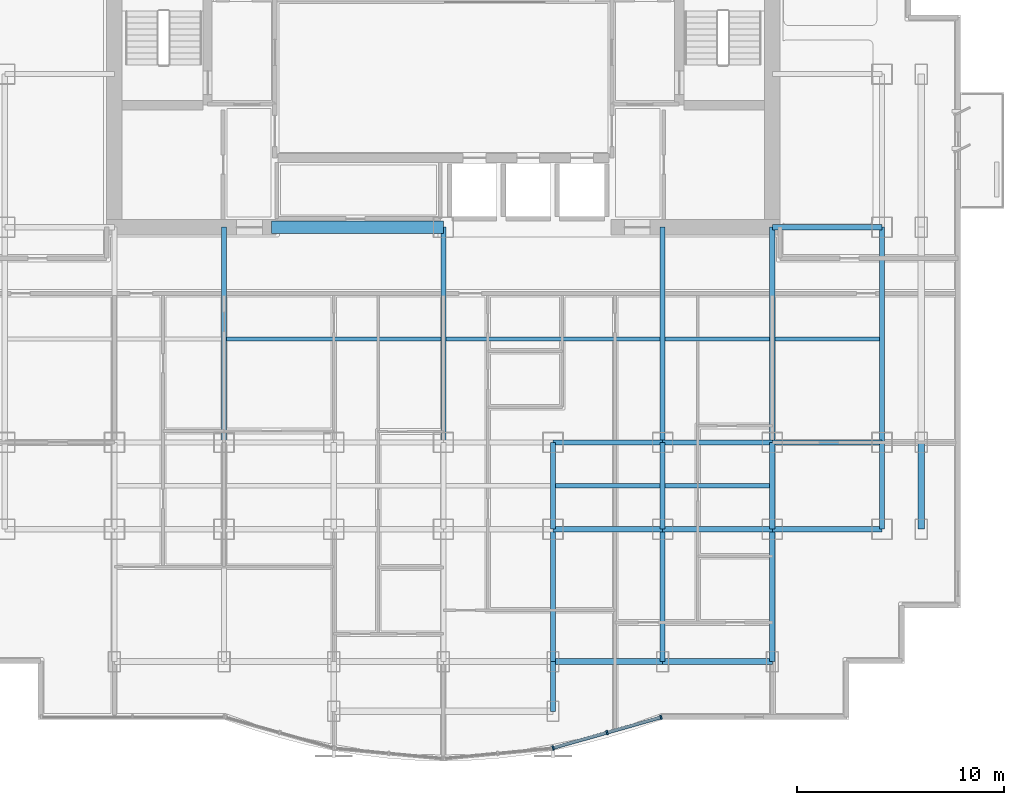
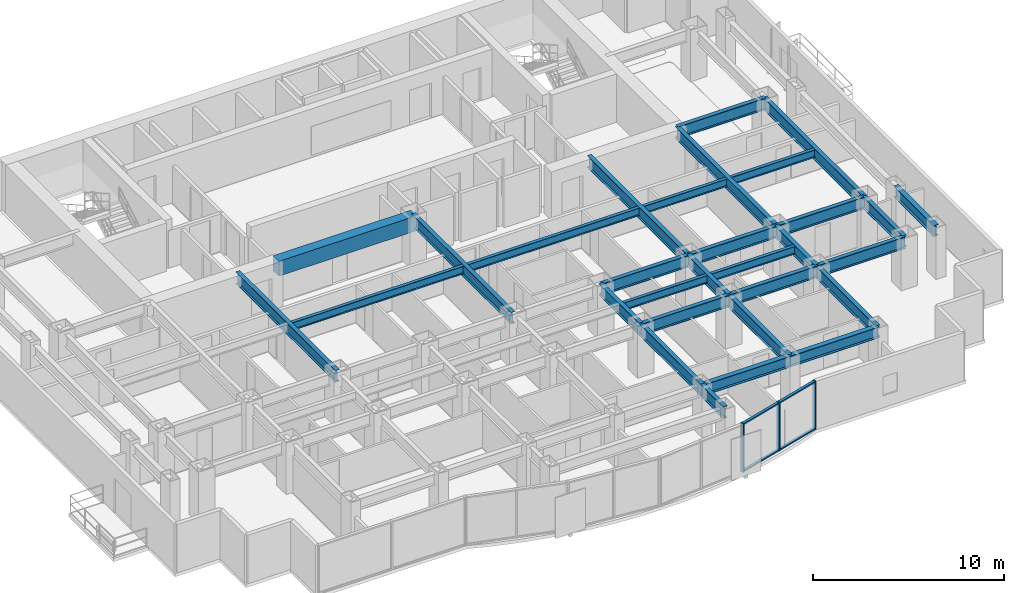
# One storey, part 3 of 10: 30 beams, 7 members, 1 element without a shape of its own.
"""IFC4 building model written with IfcOpenShell, lengths in metres."""

from ifc_helpers import new_model, si_unit, direction, frame, origin, origin_2d, place, context, subcontext, project, spatial, rectangle, i_section, extrude, source, transform, mapped, material, layer, layer_set, material_profile, profile_set, type_object, element, aggregate, save


model = new_model("IFC4")

# Units and contexts
model_context = context("Model", 3, precision=1e-05, world=origin(), true_north=direction((0.0, 1.0)))
body_context = subcontext(model_context, "Body", "Model", "MODEL_VIEW")
ifc_project = project(units=[si_unit("LENGTHUNIT", "METRE"), si_unit("AREAUNIT", "SQUARE_METRE"), si_unit("VOLUMEUNIT", "CUBIC_METRE"), si_unit("PLANEANGLEUNIT", "RADIAN"), si_unit("MASSUNIT", "GRAM", prefix="KILO")], contexts=[model_context])

# Site, building, storey
site_placement = place(None, origin())
site = spatial("IfcSite", under=ifc_project, at=site_placement, CompositionType="ELEMENT")
building_placement = place(site_placement, origin())
building = spatial("IfcBuilding", under=site, at=building_placement, Name="Qianlan Lanfeng Residences", CompositionType="ELEMENT")
storey_placement = place(building_placement, frame((0.0, 0.0, 98.199951171875)))
storey = spatial("IfcBuildingStorey", under=building, at=storey_placement, Name="L26", CompositionType="ELEMENT", Elevation=98.199951171875)

# Beams
ifc_material_1 = material(Name="Steel SN490B", Category="steel")
ifc_material_profile_1 = material_profile(ifc_material_1, i_section(OverallWidth=0.25, OverallDepth=0.75, WebThickness=0.013916015625, FlangeThickness=0.02490234375, at=origin_2d()), Name="H 750x250x14x25")
ifc_profile_set_1 = profile_set([ifc_material_profile_1], Name="Steel SN490B")
beam_type_1 = type_object("IfcBeamType", Name="G-850", PredefinedType="BEAM", material=ifc_profile_set_1)
beam_1_placement = place(storey_placement, frame((31.800048828125, 10.60009765625, 2.715087890625), z_axis=(1.0, 0.0, 0.0), x_axis=(0.0, 1.0, 0.0)))
element("IfcBeam", 1, at=beam_1_placement, inside=storey, type_object=beam_type_1, Name="Structural beam G-850", PredefinedType="BEAM", context=body_context, shape_type="SweptSolid", body=[
    extrude(i_section(OverallWidth=0.25, OverallDepth=0.75, WebThickness=0.013916015625, FlangeThickness=0.02490234375, at=origin_2d()), origin(), (0.0, 0.0, 1.0), 5.300048828125),
])
beam_2_placement = place(storey_placement, frame((37.10009765625, 10.60009765625, 2.715087890625), z_axis=(1.0, 0.0, 0.0), x_axis=(0.0, 1.0, 0.0)))
element("IfcBeam", 2, at=beam_2_placement, inside=storey, type_object=beam_type_1, Name="Structural beam G-850", PredefinedType="BEAM", context=body_context, shape_type="SweptSolid", body=[
    extrude(i_section(OverallWidth=0.25, OverallDepth=0.75, WebThickness=0.013916015625, FlangeThickness=0.02490234375, at=origin_2d()), origin(), (0.0, 0.0, 1.0), 5.2998046875),
])
for number, where, z_axis, x_axis, name in (
    (3, (42.39990234375, 10.60009765625, 2.715087890625), (1.0, 0.0, 0.0), (0.0, 1.0, 0.0), "Structural beam G-850"),
    (4, (31.800048828125, 14.800048828125, 2.715087890625), (1.0, 0.0, 0.0), (0.0, 1.0, 0.0), "Structural beam G-850"),
):
    element("IfcBeam", number, at=place(storey_placement, frame(where, z_axis=z_axis, x_axis=x_axis)), inside=storey, type_object=beam_type_1, Name=name, PredefinedType="BEAM", context=body_context, shape_type="SweptSolid", body=[
        extrude(i_section(OverallWidth=0.25, OverallDepth=0.75, WebThickness=0.013916015625, FlangeThickness=0.02490234375, at=origin_2d()), origin(), (0.0, 0.0, 1.0), 5.300048828125),
    ])
beam_3_placement = place(storey_placement, frame((37.10009765625, 14.800048828125, 2.715087890625), z_axis=(1.0, 0.0, 0.0), x_axis=(0.0, 1.0, 0.0)))
element("IfcBeam", 5, at=beam_3_placement, inside=storey, type_object=beam_type_1, Name="Structural beam G-850", PredefinedType="BEAM", context=body_context, shape_type="SweptSolid", body=[
    extrude(i_section(OverallWidth=0.25, OverallDepth=0.75, WebThickness=0.013916015625, FlangeThickness=0.02490234375, at=origin_2d()), origin(), (0.0, 0.0, 1.0), 5.2998046875),
])
for number, where, z_axis, x_axis, name in (
    (6, (42.39990234375, 14.800048828125, 2.715087890625), (1.0, 0.0, 0.0), (0.0, 1.0, 0.0), "Structural beam G-850"),
    (7, (42.39990234375, 25.199951171875, 2.715087890625), (1.0, 0.0, 0.0), (0.0, 1.0, 0.0), "Structural beam G-850"),
):
    element("IfcBeam", number, at=place(storey_placement, frame(where, z_axis=z_axis, x_axis=x_axis)), inside=storey, type_object=beam_type_1, Name=name, PredefinedType="BEAM", context=body_context, shape_type="SweptSolid", body=[
        extrude(i_section(OverallWidth=0.25, OverallDepth=0.75, WebThickness=0.013916015625, FlangeThickness=0.02490234375, at=origin_2d()), origin(), (0.0, 0.0, 1.0), 5.300048828125),
    ])
for number, where, z_axis, x_axis, name in (
    (8, (15.89990234375, 14.800048828125, 2.715087890625), (0.0, 1.0, 0.0), (-1.0, 0.0, 0.0), "Structural beam G-850"),
    (9, (26.5, 14.800048828125, 2.715087890625), (0.0, 1.0, 0.0), (-1.0, 0.0, 0.0), "Structural beam G-850"),
):
    element("IfcBeam", number, at=place(storey_placement, frame(where, z_axis=z_axis, x_axis=x_axis)), inside=storey, type_object=beam_type_1, Name=name, PredefinedType="BEAM", context=body_context, shape_type="SweptSolid", body=[
        extrude(i_section(OverallWidth=0.25, OverallDepth=0.75, WebThickness=0.013916015625, FlangeThickness=0.02490234375, at=origin_2d()), origin(), (0.0, 0.0, 1.0), 10.39990234375),
    ])
beam_4_placement = place(storey_placement, frame((31.800048828125, 1.800048828125, 2.715087890625), z_axis=(0.0, 1.0, 0.0), x_axis=(-1.0, 0.0, 0.0)))
element("IfcBeam", 10, at=beam_4_placement, inside=storey, type_object=beam_type_1, Name="Structural beam G-850", PredefinedType="BEAM", context=body_context, shape_type="SweptSolid", body=[
    extrude(i_section(OverallWidth=0.25, OverallDepth=0.75, WebThickness=0.013916015625, FlangeThickness=0.02490234375, at=origin_2d()), origin(), (0.0, 0.0, 1.0), 2.39990234375),
])
beam_5_placement = place(storey_placement, frame((31.800048828125, 4.199951171875, 2.715087890625), z_axis=(0.0, 1.0, 0.0), x_axis=(-1.0, 0.0, 0.0)))
element("IfcBeam", 11, at=beam_5_placement, inside=storey, type_object=beam_type_1, Name="Structural beam G-850", PredefinedType="BEAM", context=body_context, shape_type="SweptSolid", body=[
    extrude(i_section(OverallWidth=0.25, OverallDepth=0.75, WebThickness=0.013916015625, FlangeThickness=0.02490234375, at=origin_2d()), origin(), (0.0, 0.0, 1.0), 6.400146484375),
])
beam_6_placement = place(storey_placement, frame((31.800048828125, 10.60009765625, 2.715087890625), z_axis=(0.0, 1.0, 0.0), x_axis=(-1.0, 0.0, 0.0)))
element("IfcBeam", 12, at=beam_6_placement, inside=storey, type_object=beam_type_1, Name="Structural beam G-850", PredefinedType="BEAM", context=body_context, shape_type="SweptSolid", body=[
    extrude(i_section(OverallWidth=0.25, OverallDepth=0.75, WebThickness=0.013916015625, FlangeThickness=0.02490234375, at=origin_2d()), origin(), (0.0, 0.0, 1.0), 4.199951171875),
])
beam_7_placement = place(storey_placement, frame((37.10009765625, 4.199951171875, 2.715087890625), z_axis=(0.0, 1.0, 0.0), x_axis=(-1.0, 0.0, 0.0)))
element("IfcBeam", 13, at=beam_7_placement, inside=storey, type_object=beam_type_1, Name="Structural beam G-850", PredefinedType="BEAM", context=body_context, shape_type="SweptSolid", body=[
    extrude(i_section(OverallWidth=0.25, OverallDepth=0.75, WebThickness=0.013916015625, FlangeThickness=0.02490234375, at=origin_2d()), origin(), (0.0, 0.0, 1.0), 6.400146484375),
])
beam_8_placement = place(storey_placement, frame((37.10009765625, 10.60009765625, 2.715087890625), z_axis=(0.0, 1.0, 0.0), x_axis=(-1.0, 0.0, 0.0)))
element("IfcBeam", 14, at=beam_8_placement, inside=storey, type_object=beam_type_1, Name="Structural beam G-850", PredefinedType="BEAM", context=body_context, shape_type="SweptSolid", body=[
    extrude(i_section(OverallWidth=0.25, OverallDepth=0.75, WebThickness=0.013916015625, FlangeThickness=0.02490234375, at=origin_2d()), origin(), (0.0, 0.0, 1.0), 4.199951171875),
])
beam_9_placement = place(storey_placement, frame((37.10009765625, 14.800048828125, 2.715087890625), z_axis=(0.0, 1.0, 0.0), x_axis=(-1.0, 0.0, 0.0)))
element("IfcBeam", 15, at=beam_9_placement, inside=storey, type_object=beam_type_1, Name="Structural beam G-850", PredefinedType="BEAM", context=body_context, shape_type="SweptSolid", body=[
    extrude(i_section(OverallWidth=0.25, OverallDepth=0.75, WebThickness=0.013916015625, FlangeThickness=0.02490234375, at=origin_2d()), origin(), (0.0, 0.0, 1.0), 10.39990234375),
])
beam_10_placement = place(storey_placement, frame((42.39990234375, 4.199951171875, 2.715087890625), z_axis=(0.0, 1.0, 0.0), x_axis=(-1.0, 0.0, 0.0)))
element("IfcBeam", 16, at=beam_10_placement, inside=storey, type_object=beam_type_1, Name="Structural beam G-850", PredefinedType="BEAM", context=body_context, shape_type="SweptSolid", body=[
    extrude(i_section(OverallWidth=0.25, OverallDepth=0.75, WebThickness=0.013916015625, FlangeThickness=0.02490234375, at=origin_2d()), origin(), (0.0, 0.0, 1.0), 6.400146484375),
])
beam_11_placement = place(storey_placement, frame((42.39990234375, 10.60009765625, 2.715087890625), z_axis=(0.0, 1.0, 0.0), x_axis=(-1.0, 0.0, 0.0)))
element("IfcBeam", 17, at=beam_11_placement, inside=storey, type_object=beam_type_1, Name="Structural beam G-850", PredefinedType="BEAM", context=body_context, shape_type="SweptSolid", body=[
    extrude(i_section(OverallWidth=0.25, OverallDepth=0.75, WebThickness=0.013916015625, FlangeThickness=0.02490234375, at=origin_2d()), origin(), (0.0, 0.0, 1.0), 4.199951171875),
])
beam_12_placement = place(storey_placement, frame((42.39990234375, 14.800048828125, 2.715087890625), z_axis=(0.0, 1.0, 0.0), x_axis=(-1.0, 0.0, 0.0)))
element("IfcBeam", 18, at=beam_12_placement, inside=storey, type_object=beam_type_1, Name="Structural beam G-850", PredefinedType="BEAM", context=body_context, shape_type="SweptSolid", body=[
    extrude(i_section(OverallWidth=0.25, OverallDepth=0.75, WebThickness=0.013916015625, FlangeThickness=0.02490234375, at=origin_2d()), origin(), (0.0, 0.0, 1.0), 10.39990234375),
])
beam_13_placement = place(storey_placement, frame((47.699951171875, 10.60009765625, 2.715087890625), z_axis=(0.0, 1.0, 0.0), x_axis=(-1.0, 0.0, 0.0)))
element("IfcBeam", 19, at=beam_13_placement, inside=storey, type_object=beam_type_1, Name="Structural beam G-850", PredefinedType="BEAM", context=body_context, shape_type="SweptSolid", body=[
    extrude(i_section(OverallWidth=0.25, OverallDepth=0.75, WebThickness=0.013916015625, FlangeThickness=0.02490234375, at=origin_2d()), origin(), (0.0, 0.0, 1.0), 4.199951171875),
])
beam_14_placement = place(storey_placement, frame((47.699951171875, 14.800048828125, 2.715087890625), z_axis=(0.0, 1.0, 0.0), x_axis=(-1.0, 0.0, 0.0)))
element("IfcBeam", 20, at=beam_14_placement, inside=storey, type_object=beam_type_1, Name="Structural beam G-850", PredefinedType="BEAM", context=body_context, shape_type="SweptSolid", body=[
    extrude(i_section(OverallWidth=0.25, OverallDepth=0.75, WebThickness=0.013916015625, FlangeThickness=0.02490234375, at=origin_2d()), origin(), (0.0, 0.0, 1.0), 10.39990234375),
])
ifc_material_profile_2 = material_profile(ifc_material_1, i_section(OverallWidth=0.199951171875, OverallDepth=0.5, WebThickness=0.010009765625, FlangeThickness=0.01611328125, at=origin_2d()), Name="H 500x200x10x16")
ifc_profile_set_2 = profile_set([ifc_material_profile_2], Name="Steel SN490B")
beam_type_2 = type_object("IfcBeamType", Name="J-500", PredefinedType="JOIST", material=ifc_profile_set_2)
beam_15_placement = place(storey_placement, frame((31.925048828125, 12.699951171875, 2.840087890625), z_axis=(1.0, 0.0, 0.0), x_axis=(0.0, 1.0, 0.0)))
element("IfcBeam", 21, at=beam_15_placement, inside=storey, type_object=beam_type_2, Name="Structural beam J-500", PredefinedType="JOIST", context=body_context, shape_type="SweptSolid", body=[
    extrude(i_section(OverallWidth=0.199951171875, OverallDepth=0.5, WebThickness=0.010009765625, FlangeThickness=0.01611328125, at=origin_2d()), origin(), (0.0, 0.0, 1.0), 5.050048828125),
])
beam_16_placement = place(storey_placement, frame((37.22509765625, 12.699951171875, 2.840087890625), z_axis=(1.0, 0.0, 0.0), x_axis=(0.0, 1.0, 0.0)))
element("IfcBeam", 22, at=beam_16_placement, inside=storey, type_object=beam_type_2, Name="Structural beam J-500", PredefinedType="JOIST", context=body_context, shape_type="SweptSolid", body=[
    extrude(i_section(OverallWidth=0.199951171875, OverallDepth=0.5, WebThickness=0.010009765625, FlangeThickness=0.01611328125, at=origin_2d()), origin(), (0.0, 0.0, 1.0), 5.0498046875),
])
for number, where, z_axis, x_axis, name in (
    (23, (16.02490234375, 19.800048828125, 2.840087890625), (1.0, 0.0, 0.0), (0.0, 1.0, 0.0), "Structural beam J-500"),
    (24, (26.625, 19.800048828125, 2.840087890625), (1.0, 0.0, 0.0), (0.0, 1.0, 0.0), "Structural beam J-500"),
):
    element("IfcBeam", number, at=place(storey_placement, frame(where, z_axis=z_axis, x_axis=x_axis)), inside=storey, type_object=beam_type_2, Name=name, PredefinedType="JOIST", context=body_context, shape_type="SweptSolid", body=[
        extrude(i_section(OverallWidth=0.199951171875, OverallDepth=0.5, WebThickness=0.010009765625, FlangeThickness=0.01611328125, at=origin_2d()), origin(), (0.0, 0.0, 1.0), 10.35009765625),
    ])
beam_17_placement = place(storey_placement, frame((37.22509765625, 19.800048828125, 2.840087890625), z_axis=(1.0, 0.0, 0.0), x_axis=(0.0, 1.0, 0.0)))
element("IfcBeam", 25, at=beam_17_placement, inside=storey, type_object=beam_type_2, Name="Structural beam J-500", PredefinedType="JOIST", context=body_context, shape_type="SweptSolid", body=[
    extrude(i_section(OverallWidth=0.199951171875, OverallDepth=0.5, WebThickness=0.010009765625, FlangeThickness=0.01611328125, at=origin_2d()), origin(), (0.0, 0.0, 1.0), 5.0498046875),
])
beam_18_placement = place(storey_placement, frame((42.52490234375, 19.800048828125, 2.840087890625), z_axis=(1.0, 0.0, 0.0), x_axis=(0.0, 1.0, 0.0)))
element("IfcBeam", 26, at=beam_18_placement, inside=storey, type_object=beam_type_2, Name="Structural beam J-500", PredefinedType="JOIST", context=body_context, shape_type="SweptSolid", body=[
    extrude(i_section(OverallWidth=0.199951171875, OverallDepth=0.5, WebThickness=0.010009765625, FlangeThickness=0.01611328125, at=origin_2d()), origin(), (0.0, 0.0, 1.0), 5.050048828125),
])
ifc_material_2 = material(Name="Concrete C60", Category="concrete")
ifc_material_profile_3 = material_profile(ifc_material_2, rectangle(XDim=0.60009765625, YDim=0.949951171875, at=origin_2d()), Name="RC 600x950")
ifc_profile_set_3 = profile_set([ifc_material_profile_3], Name="Concrete C60")
beam_type_3 = type_object("IfcBeamType", Name="LB-RC900", PredefinedType="BEAM", material=ifc_profile_set_3)
beam_19_placement = place(storey_placement, frame((18.199951171875, 25.199951171875, 2.614990234375), z_axis=(1.0, 0.0, 0.0), x_axis=(0.0, 1.0, 0.0)))
element("IfcBeam", 27, at=beam_19_placement, inside=storey, type_object=beam_type_3, Name="L26 Core Coupling Beam W", PredefinedType="BEAM", context=body_context, shape_type="SweptSolid", body=[
    extrude(rectangle(XDim=0.60009765625, YDim=0.949951171875, at=origin_2d()), origin(), (0.0, 0.0, 1.0), 8.300048828125),
])
ifc_material_profile_4 = material_profile(ifc_material_1, i_section(OverallWidth=0.300048828125, OverallDepth=0.699951171875, WebThickness=0.012939453125, FlangeThickness=0.02392578125, at=origin_2d()), Name="H 700x300x13x24")
ifc_profile_set_4 = profile_set([ifc_material_profile_4], Name="Steel SN490B")
beam_type_4 = type_object("IfcBeamType", Name="SG-750", PredefinedType="SPANDREL", material=ifc_profile_set_4)
beam_20_placement = place(storey_placement, frame((31.800048828125, 4.199951171875, 2.739990234375), z_axis=(1.0, 0.0, 0.0), x_axis=(0.0, 1.0, 0.0)))
element("IfcBeam", 28, at=beam_20_placement, inside=storey, type_object=beam_type_4, Name="Structural beam SG-750", PredefinedType="SPANDREL", context=body_context, shape_type="SweptSolid", body=[
    extrude(i_section(OverallWidth=0.300048828125, OverallDepth=0.699951171875, WebThickness=0.012939453125, FlangeThickness=0.02392578125, at=origin_2d()), origin(), (0.0, 0.0, 1.0), 5.300048828125),
])
beam_21_placement = place(storey_placement, frame((37.10009765625, 4.199951171875, 2.739990234375), z_axis=(1.0, 0.0, 0.0), x_axis=(0.0, 1.0, 0.0)))
element("IfcBeam", 29, at=beam_21_placement, inside=storey, type_object=beam_type_4, Name="Structural beam SG-750", PredefinedType="SPANDREL", context=body_context, shape_type="SweptSolid", body=[
    extrude(i_section(OverallWidth=0.300048828125, OverallDepth=0.699951171875, WebThickness=0.012939453125, FlangeThickness=0.02392578125, at=origin_2d()), origin(), (0.0, 0.0, 1.0), 5.2998046875),
])
beam_22_placement = place(storey_placement, frame((49.60009765625, 10.60009765625, 2.739990234375), z_axis=(0.0, 1.0, 0.0), x_axis=(-1.0, 0.0, 0.0)))
element("IfcBeam", 30, at=beam_22_placement, inside=storey, type_object=beam_type_4, Name="Structural beam SG-750", PredefinedType="SPANDREL", context=body_context, shape_type="SweptSolid", body=[
    extrude(i_section(OverallWidth=0.300048828125, OverallDepth=0.699951171875, WebThickness=0.012939453125, FlangeThickness=0.02392578125, at=origin_2d()), origin(), (0.0, 0.0, 1.0), 4.199951171875),
])

# Curtain wall, members
ifc_material_3 = material(Name="Anodised Bronze Aluminium 6063-T6", Category="aluminium")
ifc_layer = layer(ifc_material_3, 0.219970703125)
ifc_layer_set = layer_set([ifc_layer], Name="Anodised Bronze Aluminium 6063-T6")
curtain_wall_type = type_object("IfcCurtainWallType", Name="CW-03", PredefinedType="NOTDEFINED", material=ifc_layer_set)
curtain_wall_placement = place(storey_placement, origin())
curtain_wall = element("IfcCurtainWall", 31, at=curtain_wall_placement, inside=storey, type_object=curtain_wall_type, Name="L26 Unitised Curtain Wall CWR-L26-05 (CW-03)", PredefinedType="NOTDEFINED")
ifc_material_profile_5 = material_profile(ifc_material_3, rectangle(XDim=0.080078125, YDim=0.159912109375, at=origin_2d()), Name="ALU TRANSOM 80x160")
ifc_profile_set_5 = profile_set([ifc_material_profile_5], Name="Anodised Bronze Aluminium 6063-T6")
member_type_1 = type_object("IfcMemberType", Name="CWT-180", PredefinedType="USERDEFINED", material=ifc_profile_set_5)
shared_shape_1 = source(origin(), body_context, "Body", "SweptSolid", [
    extrude(rectangle(XDim=0.080078125, YDim=0.159912109375, at=origin_2d()), origin(), (0.0, 0.0, 1.0), 2.630126953125),
])
member_1_placement = place(storey_placement, frame((31.844970703125, 0.039794921875, 0.0400390625), z_axis=(0.961984978242, 0.273102364758, 0.0), x_axis=(0.0, 0.0, 1.0)))
member_1 = element("IfcMember", 32, at=member_1_placement, type_object=member_type_1, Name="CWR-L26-05 Transom 1-BOT", ObjectType="TRANSOM", PredefinedType="USERDEFINED", context=body_context, shape_type="MappedRepresentation", body=[
    mapped(shared_shape_1, transform((0.0, 0.0, 0.0), scale=1.0)),
])
member_2_placement = place(storey_placement, frame((31.844970703125, 0.039794921875, 3.050048828125), z_axis=(0.961984978242, 0.273102364758, 0.0), x_axis=(0.0, 0.0, 1.0)))
member_2 = element("IfcMember", 33, at=member_2_placement, type_object=member_type_1, Name="CWR-L26-05 Transom 1-TOP", ObjectType="TRANSOM", PredefinedType="USERDEFINED", context=body_context, shape_type="MappedRepresentation", body=[
    mapped(shared_shape_1, transform((0.0, 0.0, 0.0), scale=1.0)),
])
shared_shape_2 = source(origin(), body_context, "Body", "SweptSolid", [
    extrude(rectangle(XDim=0.080078125, YDim=0.159912109375, at=origin_2d()), origin(), (0.0, 0.0, 1.0), 2.63037109375),
])
member_3_placement = place(storey_placement, frame((34.451904296875, 0.77978515625, 0.0400390625), z_axis=(0.961967513886, 0.273163874312, 0.0), x_axis=(0.0, 0.0, 1.0)))
member_3 = element("IfcMember", 34, at=member_3_placement, type_object=member_type_1, Name="CWR-L26-05 Transom 2-BOT", ObjectType="TRANSOM", PredefinedType="USERDEFINED", context=body_context, shape_type="MappedRepresentation", body=[
    mapped(shared_shape_2, transform((0.0, 0.0, 0.0), scale=1.0)),
])
member_4_placement = place(storey_placement, frame((34.451904296875, 0.77978515625, 3.050048828125), z_axis=(0.961967513886, 0.273163874312, 0.0), x_axis=(0.0, 0.0, 1.0)))
member_4 = element("IfcMember", 35, at=member_4_placement, type_object=member_type_1, Name="CWR-L26-05 Transom 2-TOP", ObjectType="TRANSOM", PredefinedType="USERDEFINED", context=body_context, shape_type="MappedRepresentation", body=[
    mapped(shared_shape_2, transform((0.0, 0.0, 0.0), scale=1.0)),
])
ifc_material_profile_6 = material_profile(ifc_material_3, rectangle(XDim=0.080078125, YDim=0.2099609375, at=origin_2d()), Name="ALU MULLION 80x210")
ifc_profile_set_6 = profile_set([ifc_material_profile_6], Name="Anodised Bronze Aluminium 6063-T6")
member_type_2 = type_object("IfcMemberType", Name="CWM-220", PredefinedType="MULLION", material=ifc_profile_set_6)
shared_shape_3 = source(origin(), body_context, "Body", "SweptSolid", [
    extrude(rectangle(XDim=0.080078125, YDim=0.2099609375, at=origin_2d()), origin(), (0.0, 0.0, 1.0), 3.090087890625),
])
member_5_placement = place(storey_placement, frame((31.806396484375, 0.02880859375, 0.0), z_axis=(0.0, 0.0, 1.0), x_axis=(0.961989074302, 0.273087936247, 0.0)))
member_5 = element("IfcMember", 36, at=member_5_placement, type_object=member_type_2, Name="CWR-L26-05 Mullion 1", PredefinedType="MULLION", context=body_context, shape_type="MappedRepresentation", body=[
    mapped(shared_shape_3, transform((0.0, 0.0, 0.0), scale=1.0)),
])
member_6_placement = place(storey_placement, frame((34.41357421875, 0.76904296875, 0.0), z_axis=(0.0, 0.0, 1.0), x_axis=(0.961989074302, 0.273087936247, 0.0)))
member_6 = element("IfcMember", 37, at=member_6_placement, type_object=member_type_2, Name="CWR-L26-05 Mullion 2", PredefinedType="MULLION", context=body_context, shape_type="MappedRepresentation", body=[
    mapped(shared_shape_3, transform((0.0, 0.0, 0.0), scale=1.0)),
])
member_7_placement = place(storey_placement, frame((37.0205078125, 1.509033203125, 0.0), z_axis=(0.0, 0.0, 1.0), x_axis=(0.961989074302, 0.273087936247, 0.0)))
member_7 = element("IfcMember", 38, at=member_7_placement, type_object=member_type_2, Name="CWR-L26-05 Mullion 3", PredefinedType="MULLION", context=body_context, shape_type="MappedRepresentation", body=[
    mapped(shared_shape_3, transform((0.0, 0.0, 0.0), scale=1.0)),
])
aggregate(curtain_wall, [member_5, member_6, member_7, member_1, member_2, member_3, member_4])

save(model, "model.ifc")
